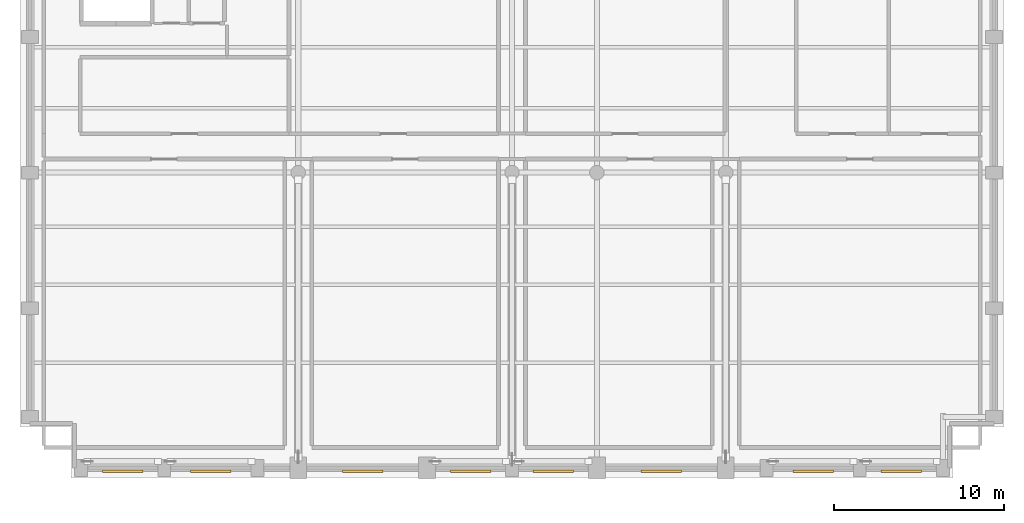
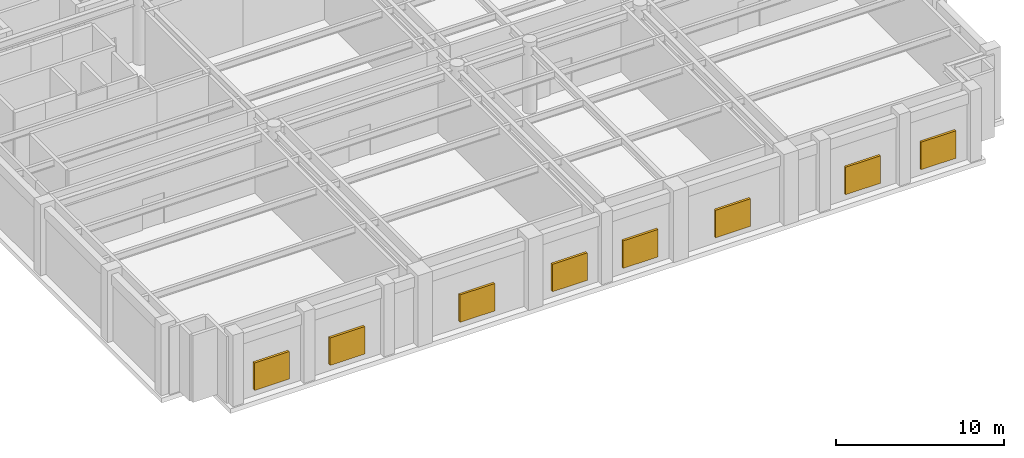
# One storey, part 9 of 11: 8 shading devices.
"""IFC4 building model written with IfcOpenShell, lengths in metres."""

from ifc_helpers import new_model, si_unit, direction, frame, origin, origin_2d, place, context, subcontext, project, spatial, rectangle, extrude, material, type_object, element, save


model = new_model("IFC4")

# Units and contexts
model_context = context("Model", 3, precision=1e-05, world=origin(), true_north=direction((0.0, 1.0)))
body_context = subcontext(model_context, "Body", "Model", "MODEL_VIEW")
ifc_project = project(units=[si_unit("LENGTHUNIT", "METRE"), si_unit("AREAUNIT", "SQUARE_METRE"), si_unit("VOLUMEUNIT", "CUBIC_METRE"), si_unit("PLANEANGLEUNIT", "RADIAN"), si_unit("MASSUNIT", "GRAM", prefix="KILO")], contexts=[model_context])

# Site, building, storey
site_placement = place(None, origin())
site = spatial("IfcSite", under=ifc_project, at=site_placement, CompositionType="ELEMENT")
building_placement = place(site_placement, origin())
building = spatial("IfcBuilding", under=site, at=building_placement, Name="Sulina Concourse Tower", CompositionType="ELEMENT")
storey_placement = place(building_placement, frame((0.0, 0.0, 238.60009765625)))
storey = spatial("IfcBuildingStorey", under=building, at=storey_placement, Name="L58", CompositionType="ELEMENT", Elevation=238.60009765625)

# Shading devices
ifc_material = material(Name="Anodised bronze aluminium", Category="aluminium")
shading_device_type = type_object("IfcShadingDeviceType", Name="Plant Room Acoustic Weather Louvre Bank", PredefinedType="JALOUSIE", material=ifc_material)
for number, where, z_axis, x_axis, name in (
    (1, (6.050048828125, 0.39990234375, 0.5), (0.0, 0.0, 1.0), (1.0, 0.0, 0.0), "L58 acoustic weather louvre S1"),
    (2, (11.25, 0.39990234375, 0.5), (0.0, 0.0, 1.0), (1.0, 0.0, 0.0), "L58 acoustic weather louvre S2"),
    (3, (20.199951171875, 0.39990234375, 0.5), (0.0, 0.0, 1.0), (1.0, 0.0, 0.0), "L58 acoustic weather louvre S4"),
    (4, (26.5625, 0.39990234375, 0.5), (0.0, 0.0, 1.0), (1.0, 0.0, 0.0), "L58 acoustic weather louvre S5"),
    (5, (31.4375, 0.39990234375, 0.5), (0.0, 0.0, 1.0), (1.0, 0.0, 0.0), "L58 acoustic weather louvre S6"),
    (6, (37.800048828125, 0.39990234375, 0.5), (0.0, 0.0, 1.0), (1.0, 0.0, 0.0), "L58 acoustic weather louvre S7"),
    (7, (46.75, 0.39990234375, 0.5), (0.0, 0.0, 1.0), (1.0, 0.0, 0.0), "L58 acoustic weather louvre S9"),
    (8, (51.949951171875, 0.39990234375, 0.5), (0.0, 0.0, 1.0), (1.0, 0.0, 0.0), "L58 acoustic weather louvre S10"),
):
    element("IfcShadingDevice", number, at=place(storey_placement, frame(where, z_axis=z_axis, x_axis=x_axis)), inside=storey, type_object=shading_device_type, Name=name, PredefinedType="JALOUSIE", context=body_context, shape_type="SweptSolid", body=[
        extrude(rectangle(XDim=2.39990234375, YDim=0.159912109375, at=origin_2d()), origin(), (0.0, 0.0, 1.0), 2.0),
    ])

save(model, "model.ifc")
